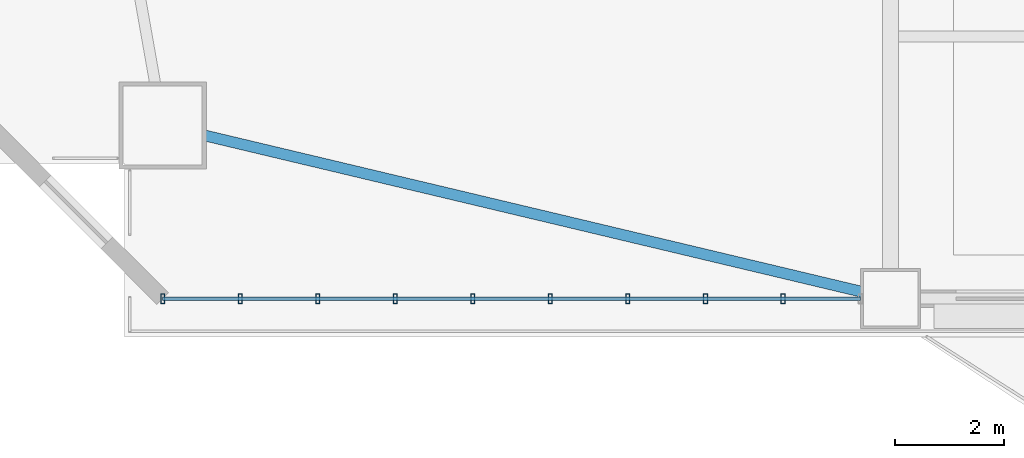
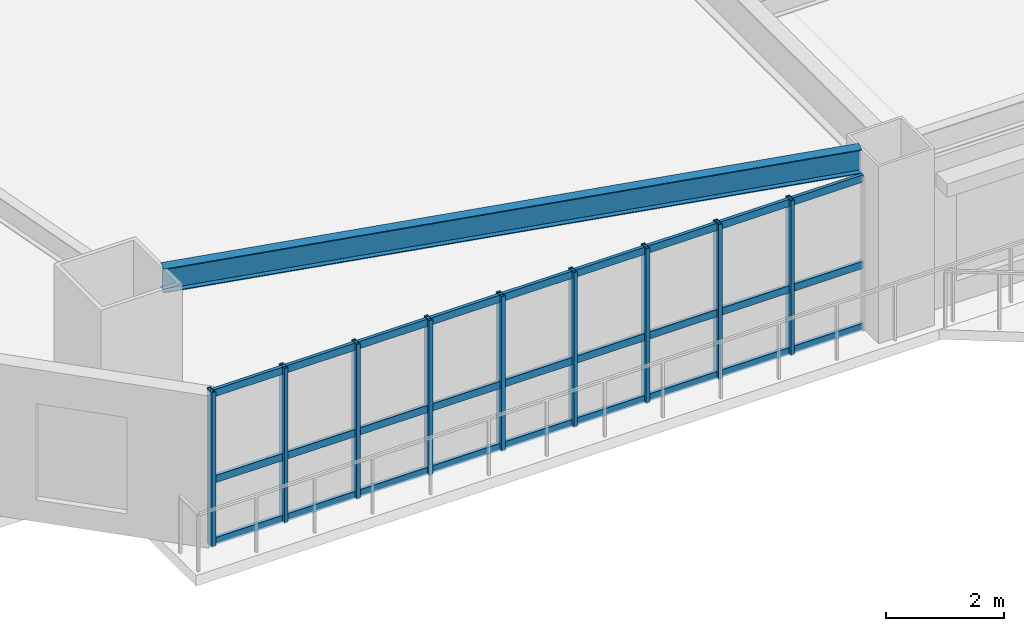
# One storey, part 2 of 17: 12 members, 1 beam, 1 element without a shape of its own.
"""IFC4 building model written with IfcOpenShell, lengths in metres."""

from ifc_helpers import new_model, si_unit, direction, frame, origin, origin_2d, place, context, subcontext, project, spatial, hollow_rectangle, i_section, extrude, source, transform, mapped, material, layer, layer_set, material_profile, profile_set, type_object, element, aggregate, save


model = new_model("IFC4")

# Units and contexts
model_context = context("Model", 3, precision=1e-05, world=origin(), true_north=direction((0.0, 1.0)))
body_context = subcontext(model_context, "Body", "Model", "MODEL_VIEW")
ifc_project = project(units=[si_unit("LENGTHUNIT", "METRE"), si_unit("AREAUNIT", "SQUARE_METRE"), si_unit("VOLUMEUNIT", "CUBIC_METRE"), si_unit("PLANEANGLEUNIT", "RADIAN"), si_unit("MASSUNIT", "GRAM", prefix="KILO")], contexts=[model_context])

# Site, building, storey
site_placement = place(None, origin())
site = spatial("IfcSite", under=ifc_project, at=site_placement, CompositionType="ELEMENT")
building_placement = place(site_placement, origin())
building = spatial("IfcBuilding", under=site, at=building_placement, Name="Giltprow Tower", CompositionType="ELEMENT")
storey_placement = place(building_placement, frame((0.0, 0.0, 37.10009765625)))
storey = spatial("IfcBuildingStorey", under=building, at=storey_placement, Name="L09", CompositionType="ELEMENT", Elevation=37.10009765625)

# Beam
ifc_material_1 = material(Name="Structural steel Q355B", Category="steel")
ifc_material_profile_1 = material_profile(ifc_material_1, i_section(OverallWidth=0.199951171875, OverallDepth=0.5, WebThickness=0.010009765625, FlangeThickness=0.01611328125, at=origin_2d()), Name="HN 500x200x10x16")
ifc_profile_set_1 = profile_set([ifc_material_profile_1], Name="Structural steel Q355B")
beam_type = type_object("IfcBeamType", Name="BM-SPAN-HN500", PredefinedType="SPANDREL", material=ifc_profile_set_1)
shared_shape_1 = source(origin(), body_context, "Body", "SweptSolid", [
    extrude(i_section(OverallWidth=0.199951171875, OverallDepth=0.5, WebThickness=0.010009765625, FlangeThickness=0.01611328125, at=origin_2d()), origin(), (0.0, 0.0, 1.0), 12.3935546875),
])
beam_placement = place(storey_placement, frame((7.27294921875, 6.819091796875, 3.429931640625), z_axis=(0.972853117152, -0.231423448352, 0.0), x_axis=(0.231423448352, 0.972853117152, 0.0)))
element("IfcBeam", 1, at=beam_placement, inside=storey, type_object=beam_type, Name="L09 Perimeter Spandrel Beam MC_SW-S1", PredefinedType="SPANDREL", context=body_context, shape_type="MappedRepresentation", body=[
    mapped(shared_shape_1, transform((0.0, 0.0, 0.0), x_axis=(1.0, 0.0, 0.0), y_axis=(0.0, 1.0, 0.0), z_axis=(0.0, 0.0, 1.0), scale=1.0)),
])

# Curtain wall, members
ifc_material_2 = material(Name="Anodized bronze", Category="metal")
ifc_layer = layer(ifc_material_2, 0.179931640625, Name="Anodized bronze")
ifc_layer_set = layer_set([ifc_layer], Name="Anodized bronze")
curtain_wall_type = type_object("IfcCurtainWallType", Name="CW-OFF-RECESSED", PredefinedType="NOTDEFINED", material=ifc_layer_set)
curtain_wall_placement = place(storey_placement, origin())
curtain_wall = element("IfcCurtainWall", 2, at=curtain_wall_placement, inside=storey, type_object=curtain_wall_type, Name="L09 South Recessed Curtain Wall 1", PredefinedType="NOTDEFINED")
ifc_material_profile_2 = material_profile(ifc_material_2, hollow_rectangle(XDim=0.074951171875, YDim=0.179931640625, WallThickness=0.008056640625, at=origin_2d()), Name="RHS 180x75x8")
ifc_profile_set_2 = profile_set([ifc_material_profile_2], Name="Anodized bronze")
member_type_1 = type_object("IfcMemberType", Name="CW-MULLION-180x75", PredefinedType="MULLION", material=ifc_profile_set_2)
shared_shape_2 = source(origin(), body_context, "Body", "SweptSolid", [
    extrude(hollow_rectangle(XDim=0.074951171875, YDim=0.179931640625, WallThickness=0.008056640625, at=origin_2d()), origin(), (0.0, 0.0, 1.0), 3.21484375),
])
member_1_placement = place(storey_placement, frame((6.509033203125, 3.826904296875, -0.02001953125), z_axis=(0.0, 0.0, 1.0), x_axis=(1.0, 0.0, 0.0)))
member_1 = element("IfcMember", 3, at=member_1_placement, type_object=member_type_1, Name="L09 South Recessed Curtain Wall 1 Mullion 1", PredefinedType="MULLION", context=body_context, shape_type="MappedRepresentation", body=[
    mapped(shared_shape_2, transform((0.0, 0.0, 0.0), x_axis=(1.0, 0.0, 0.0), y_axis=(0.0, 1.0, 0.0), z_axis=(0.0, 0.0, 1.0), scale=1.0)),
])
member_2_placement = place(storey_placement, frame((7.929931640625, 3.826904296875, -0.02001953125), z_axis=(0.0, 0.0, 1.0), x_axis=(1.0, 0.0, 0.0)))
member_2 = element("IfcMember", 4, at=member_2_placement, type_object=member_type_1, Name="L09 South Recessed Curtain Wall 1 Mullion 2", PredefinedType="MULLION", context=body_context, shape_type="MappedRepresentation", body=[
    mapped(shared_shape_2, transform((0.0, 0.0, 0.0), x_axis=(1.0, 0.0, 0.0), y_axis=(0.0, 1.0, 0.0), z_axis=(0.0, 0.0, 1.0), scale=1.0)),
])
member_3_placement = place(storey_placement, frame((9.35107421875, 3.826904296875, -0.02001953125), z_axis=(0.0, 0.0, 1.0), x_axis=(1.0, 0.0, 0.0)))
member_3 = element("IfcMember", 5, at=member_3_placement, type_object=member_type_1, Name="L09 South Recessed Curtain Wall 1 Mullion 3", PredefinedType="MULLION", context=body_context, shape_type="MappedRepresentation", body=[
    mapped(shared_shape_2, transform((0.0, 0.0, 0.0), x_axis=(1.0, 0.0, 0.0), y_axis=(0.0, 1.0, 0.0), z_axis=(0.0, 0.0, 1.0), scale=1.0)),
])
member_4_placement = place(storey_placement, frame((10.77294921875, 3.826904296875, -0.02001953125), z_axis=(0.0, 0.0, 1.0), x_axis=(1.0, 0.0, 0.0)))
member_4 = element("IfcMember", 6, at=member_4_placement, type_object=member_type_1, Name="L09 South Recessed Curtain Wall 1 Mullion 4", PredefinedType="MULLION", context=body_context, shape_type="MappedRepresentation", body=[
    mapped(shared_shape_2, transform((0.0, 0.0, 0.0), x_axis=(1.0, 0.0, 0.0), y_axis=(0.0, 1.0, 0.0), z_axis=(0.0, 0.0, 1.0), scale=1.0)),
])
member_5_placement = place(storey_placement, frame((12.194091796875, 3.826904296875, -0.02001953125), z_axis=(0.0, 0.0, 1.0), x_axis=(1.0, 0.0, 0.0)))
member_5 = element("IfcMember", 7, at=member_5_placement, type_object=member_type_1, Name="L09 South Recessed Curtain Wall 1 Mullion 5", PredefinedType="MULLION", context=body_context, shape_type="MappedRepresentation", body=[
    mapped(shared_shape_2, transform((0.0, 0.0, 0.0), x_axis=(1.0, 0.0, 0.0), y_axis=(0.0, 1.0, 0.0), z_axis=(0.0, 0.0, 1.0), scale=1.0)),
])
member_6_placement = place(storey_placement, frame((13.614990234375, 3.826904296875, -0.02001953125), z_axis=(0.0, 0.0, 1.0), x_axis=(1.0, 0.0, 0.0)))
member_6 = element("IfcMember", 8, at=member_6_placement, type_object=member_type_1, Name="L09 South Recessed Curtain Wall 1 Mullion 6", PredefinedType="MULLION", context=body_context, shape_type="MappedRepresentation", body=[
    mapped(shared_shape_2, transform((0.0, 0.0, 0.0), x_axis=(1.0, 0.0, 0.0), y_axis=(0.0, 1.0, 0.0), z_axis=(0.0, 0.0, 1.0), scale=1.0)),
])
member_7_placement = place(storey_placement, frame((15.035888671875, 3.826904296875, -0.02001953125), z_axis=(0.0, 0.0, 1.0), x_axis=(1.0, 0.0, 0.0)))
member_7 = element("IfcMember", 9, at=member_7_placement, type_object=member_type_1, Name="L09 South Recessed Curtain Wall 1 Mullion 7", PredefinedType="MULLION", context=body_context, shape_type="MappedRepresentation", body=[
    mapped(shared_shape_2, transform((0.0, 0.0, 0.0), x_axis=(1.0, 0.0, 0.0), y_axis=(0.0, 1.0, 0.0), z_axis=(0.0, 0.0, 1.0), scale=1.0)),
])
member_8_placement = place(storey_placement, frame((16.4580078125, 3.826904296875, -0.02001953125), z_axis=(0.0, 0.0, 1.0), x_axis=(1.0, 0.0, 0.0)))
member_8 = element("IfcMember", 10, at=member_8_placement, type_object=member_type_1, Name="L09 South Recessed Curtain Wall 1 Mullion 8", PredefinedType="MULLION", context=body_context, shape_type="MappedRepresentation", body=[
    mapped(shared_shape_2, transform((0.0, 0.0, 0.0), x_axis=(1.0, 0.0, 0.0), y_axis=(0.0, 1.0, 0.0), z_axis=(0.0, 0.0, 1.0), scale=1.0)),
])
member_9_placement = place(storey_placement, frame((17.87890625, 3.826904296875, -0.02001953125), z_axis=(0.0, 0.0, 1.0), x_axis=(1.0, 0.0, 0.0)))
member_9 = element("IfcMember", 11, at=member_9_placement, type_object=member_type_1, Name="L09 South Recessed Curtain Wall 1 Mullion 9", PredefinedType="MULLION", context=body_context, shape_type="MappedRepresentation", body=[
    mapped(shared_shape_2, transform((0.0, 0.0, 0.0), x_axis=(1.0, 0.0, 0.0), y_axis=(0.0, 1.0, 0.0), z_axis=(0.0, 0.0, 1.0), scale=1.0)),
])
ifc_material_profile_3 = material_profile(ifc_material_2, hollow_rectangle(XDim=0.06494140625, YDim=0.14990234375, WallThickness=0.006103515625, at=origin_2d()), Name="RHS 150x65x6")
ifc_profile_set_3 = profile_set([ifc_material_profile_3], Name="Anodized bronze")
member_type_2 = type_object("IfcMemberType", Name="CW-TRANSOM-150x65", PredefinedType="USERDEFINED", material=ifc_profile_set_3)
shared_shape_3 = source(origin(), body_context, "Body", "SweptSolid", [
    extrude(hollow_rectangle(XDim=0.06494140625, YDim=0.14990234375, WallThickness=0.006103515625, at=origin_2d()), origin(), (0.0, 0.0, 1.0), 12.791015625),
])
member_10_placement = place(storey_placement, frame((6.509033203125, 3.826904296875, 0.039794921875), z_axis=(1.0, 0.0, 0.0), x_axis=(0.0, 1.0, 0.0)))
member_10 = element("IfcMember", 12, at=member_10_placement, type_object=member_type_2, Name="L09 South Recessed Curtain Wall 1 Transom 1", ObjectType="TRANSOM", PredefinedType="USERDEFINED", context=body_context, shape_type="MappedRepresentation", body=[
    mapped(shared_shape_3, transform((0.0, 0.0, 0.0), x_axis=(1.0, 0.0, 0.0), y_axis=(0.0, 1.0, 0.0), z_axis=(0.0, 0.0, 1.0), scale=1.0)),
])
member_11_placement = place(storey_placement, frame((6.509033203125, 3.826904296875, 1.326904296875), z_axis=(1.0, 0.0, 0.0), x_axis=(0.0, 1.0, 0.0)))
member_11 = element("IfcMember", 13, at=member_11_placement, type_object=member_type_2, Name="L09 South Recessed Curtain Wall 1 Transom 2", ObjectType="TRANSOM", PredefinedType="USERDEFINED", context=body_context, shape_type="MappedRepresentation", body=[
    mapped(shared_shape_3, transform((0.0, 0.0, 0.0), x_axis=(1.0, 0.0, 0.0), y_axis=(0.0, 1.0, 0.0), z_axis=(0.0, 0.0, 1.0), scale=1.0)),
])
member_12_placement = place(storey_placement, frame((6.509033203125, 3.826904296875, 3.119873046875), z_axis=(1.0, 0.0, 0.0), x_axis=(0.0, 1.0, 0.0)))
member_12 = element("IfcMember", 14, at=member_12_placement, type_object=member_type_2, Name="L09 South Recessed Curtain Wall 1 Transom 3", ObjectType="TRANSOM", PredefinedType="USERDEFINED", context=body_context, shape_type="MappedRepresentation", body=[
    mapped(shared_shape_3, transform((0.0, 0.0, 0.0), x_axis=(1.0, 0.0, 0.0), y_axis=(0.0, 1.0, 0.0), z_axis=(0.0, 0.0, 1.0), scale=1.0)),
])
aggregate(curtain_wall, [member_1, member_2, member_3, member_4, member_5, member_6, member_7, member_8, member_9, member_10, member_11, member_12])

save(model, "model.ifc")
